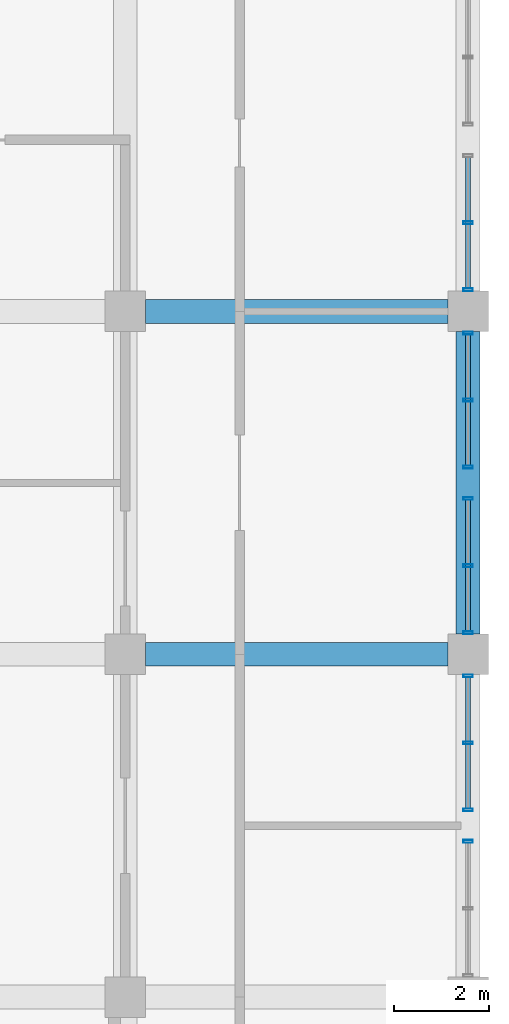
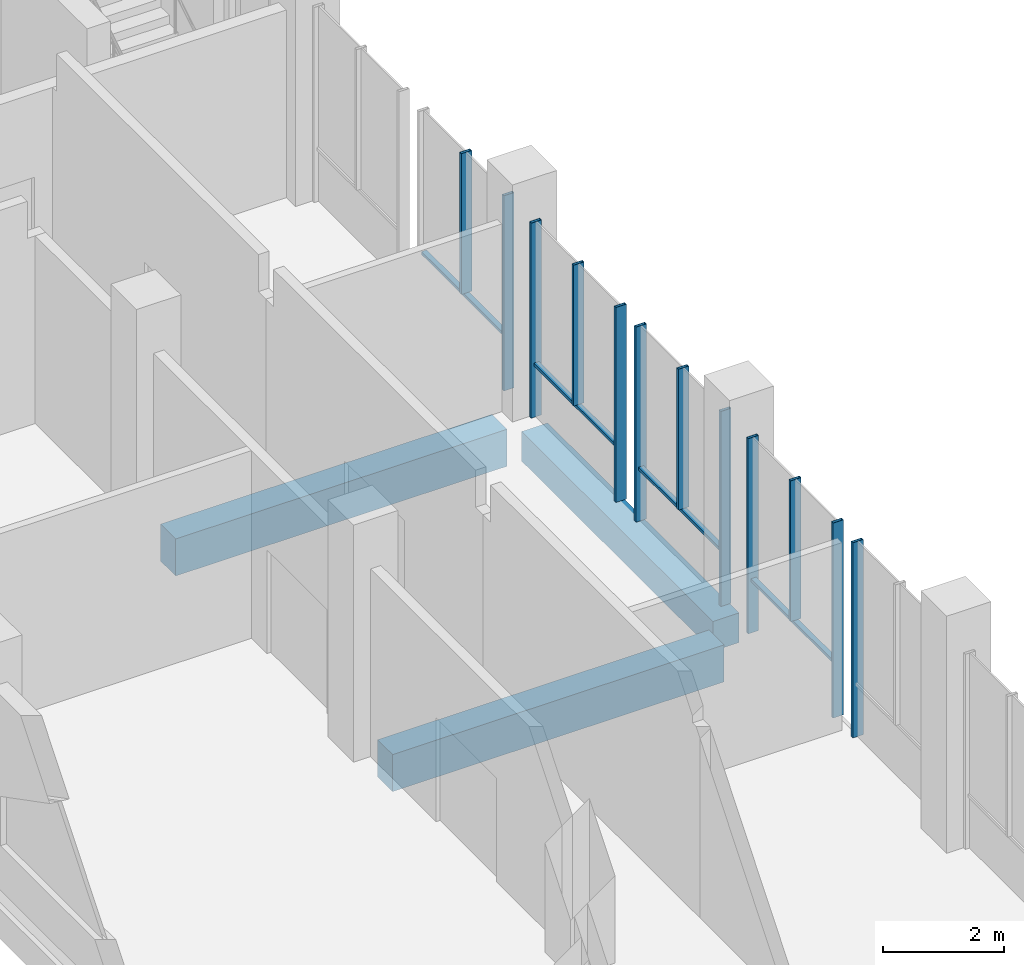
# One storey, part 20 of 40: 16 members, 3 beams, 5 elements without a shape of their own.
"""IFC4 building model written with IfcOpenShell, lengths in metres."""

from ifc_helpers import new_model, si_unit, direction, frame, origin, origin_2d, place, context, subcontext, project, spatial, rectangle, hollow_rectangle, extrude, material, material_profile, profile_set, type_object, element, aggregate, save


model = new_model("IFC4")

# Units and contexts
model_context = context("Model", 3, precision=1e-05, world=origin(), true_north=direction((0.0, 1.0)))
body_context = subcontext(model_context, "Body", "Model", "MODEL_VIEW")
ifc_project = project(units=[si_unit("LENGTHUNIT", "METRE"), si_unit("AREAUNIT", "SQUARE_METRE"), si_unit("VOLUMEUNIT", "CUBIC_METRE"), si_unit("PLANEANGLEUNIT", "RADIAN"), si_unit("MASSUNIT", "GRAM", prefix="KILO")], contexts=[model_context])

# Site, building, storey
site_placement = place(None, origin())
site = spatial("IfcSite", under=ifc_project, at=site_placement, CompositionType="ELEMENT")
building_placement = place(site_placement, origin())
building = spatial("IfcBuilding", under=site, at=building_placement, Name="Silangan Lancet Faculty of Sciences", CompositionType="ELEMENT")
storey_placement = place(building_placement, frame((0.0, 0.0, 16.800048828125)))
storey = spatial("IfcBuildingStorey", under=building, at=storey_placement, Name="L03", CompositionType="ELEMENT", Elevation=16.800048828125)

# Beams
ifc_material_1 = material(Name="Concrete C40/50", Category="concrete")
ifc_material_profile_1 = material_profile(ifc_material_1, rectangle(XDim=0.5, YDim=0.60009765625, at=origin_2d()), Name="RC 500x600")
ifc_profile_set_1 = profile_set([ifc_material_profile_1], Name="Concrete C40/50")
beam_type_1 = type_object("IfcBeamType", Name="BEAM RC 500x600", PredefinedType="BEAM", material=ifc_profile_set_1)
beam_placement = place(storey_placement, frame((86.39990234375, 36.425048828125, -0.550048828125), z_axis=(0.0, 1.0, 0.0), x_axis=(-1.0, 0.0, 0.0)))
element("IfcBeam", 1, at=beam_placement, inside=storey, type_object=beam_type_1, Name="BM-L03-13F-13G", PredefinedType="BEAM", context=body_context, shape_type="SweptSolid", body=[
    extrude(rectangle(XDim=0.5, YDim=0.60009765625, at=origin_2d()), origin(), (0.0, 0.0, 1.0), 6.349853515625),
])
ifc_material_2 = material(Name="Concrete C40/50", Category="concrete")
ifc_material_profile_2 = material_profile(ifc_material_2, rectangle(XDim=0.5, YDim=0.75, at=origin_2d()), Name="RC 500x750")
ifc_profile_set_2 = profile_set([ifc_material_profile_2], Name="Concrete C40/50")
beam_type_2 = type_object("IfcBeamType", Name="BEAM RC 500x750", PredefinedType="BEAM", material=ifc_profile_set_2)
for number, where, z_axis, x_axis, name in (
    (2, (79.625, 36.0, -0.625), (1.0, 0.0, 0.0), (0.0, 1.0, 0.0), "BM-L03-12F-13F"),
    (3, (79.625, 43.199951171875, -0.625), (1.0, 0.0, 0.0), (0.0, 1.0, 0.0), "BM-L03-12G-13G"),
):
    element("IfcBeam", number, at=place(storey_placement, frame(where, z_axis=z_axis, x_axis=x_axis)), inside=storey, type_object=beam_type_2, Name=name, PredefinedType="BEAM", context=body_context, shape_type="SweptSolid", body=[
        extrude(rectangle(XDim=0.5, YDim=0.75, at=origin_2d()), origin(), (0.0, 0.0, 1.0), 6.35009765625),
    ])

# Curtain wall, member
ifc_material_3 = material(Name="Aluminium framed curtain wall with insulated glass", Category="aluminium")
curtain_wall_type = type_object("IfcCurtainWallType", Name="CW1 Commons and east block glazing", PredefinedType="NOTDEFINED", material=ifc_material_3)
curtain_wall_1_placement = place(storey_placement, origin())
curtain_wall_1 = element("IfcCurtainWall", 4, at=curtain_wall_1_placement, inside=storey, type_object=curtain_wall_type, Name="CW1 East commons L03 bay 7", PredefinedType="NOTDEFINED")
ifc_material_4 = material(Name="Aluminium 6063-T6 extrusion", Category="aluminium")
ifc_material_profile_3 = material_profile(ifc_material_4, hollow_rectangle(XDim=0.06005859375, YDim=0.199951171875, WallThickness=0.00390625, at=origin_2d()), Name="AL BOX 60x200x4")
ifc_profile_set_3 = profile_set([ifc_material_profile_3], Name="Aluminium 6063-T6 extrusion")
member_type_1 = type_object("IfcMemberType", Name="CM1 Mullion 60x200", PredefinedType="MULLION", material=ifc_profile_set_3)
member_1_placement = place(storey_placement, frame((86.39990234375, 32.06982421875, 0.0), z_axis=(0.0, 0.0, 1.0), x_axis=(0.0, 1.0, 0.0)))
member_1 = element("IfcMember", 5, at=member_1_placement, type_object=member_type_1, Name="CW1 East commons L03 bay 7 mullion 2", PredefinedType="MULLION", context=body_context, shape_type="SweptSolid", body=[
    extrude(hollow_rectangle(XDim=0.06005859375, YDim=0.199951171875, WallThickness=0.00390625, at=origin_2d()), origin(), (0.0, 0.0, 1.0), 3.949951171875),
])
aggregate(curtain_wall_1, [member_1])

# Curtain wall, members
curtain_wall_2_placement = place(storey_placement, origin())
curtain_wall_2 = element("IfcCurtainWall", 6, at=curtain_wall_2_placement, inside=storey, type_object=curtain_wall_type, Name="CW1 East commons L03 bay 8", PredefinedType="NOTDEFINED")
member_2_placement = place(storey_placement, frame((86.39990234375, 32.72998046875, 0.0), z_axis=(0.0, 0.0, 1.0), x_axis=(0.0, 1.0, 0.0)))
member_2 = element("IfcMember", 7, at=member_2_placement, type_object=member_type_1, Name="CW1 East commons L03 bay 8 mullion 1", PredefinedType="MULLION", context=body_context, shape_type="SweptSolid", body=[
    extrude(hollow_rectangle(XDim=0.06005859375, YDim=0.199951171875, WallThickness=0.00390625, at=origin_2d()), origin(), (0.0, 0.0, 1.0), 3.949951171875),
])
member_3_placement = place(storey_placement, frame((86.39990234375, 35.544921875, 0.0), z_axis=(0.0, 0.0, 1.0), x_axis=(0.0, 1.0, 0.0)))
member_3 = element("IfcMember", 8, at=member_3_placement, type_object=member_type_1, Name="CW1 East commons L03 bay 8 mullion 2", PredefinedType="MULLION", context=body_context, shape_type="SweptSolid", body=[
    extrude(hollow_rectangle(XDim=0.06005859375, YDim=0.199951171875, WallThickness=0.00390625, at=origin_2d()), origin(), (0.0, 0.0, 1.0), 3.949951171875),
])
member_4_placement = place(storey_placement, frame((86.39990234375, 34.137451171875, 1.099853515625), z_axis=(0.0, 0.0, 1.0), x_axis=(0.0, 1.0, 0.0)))
member_4 = element("IfcMember", 9, at=member_4_placement, type_object=member_type_1, Name="CW1 East commons L03 bay 8 mullion 3", PredefinedType="MULLION", context=body_context, shape_type="SweptSolid", body=[
    extrude(hollow_rectangle(XDim=0.06005859375, YDim=0.199951171875, WallThickness=0.00390625, at=origin_2d()), origin(), (0.0, 0.0, 1.0), 2.85009765625),
])

curtain_wall_3_placement = place(storey_placement, origin())
curtain_wall_3 = element("IfcCurtainWall", 10, at=curtain_wall_3_placement, inside=storey, type_object=curtain_wall_type, Name="CW1 East commons L03 bay 9", PredefinedType="NOTDEFINED")
member_5_placement = place(storey_placement, frame((86.39990234375, 36.455078125, 0.0), z_axis=(0.0, 0.0, 1.0), x_axis=(0.0, 1.0, 0.0)))
member_5 = element("IfcMember", 11, at=member_5_placement, type_object=member_type_1, Name="CW1 East commons L03 bay 9 mullion 1", PredefinedType="MULLION", context=body_context, shape_type="SweptSolid", body=[
    extrude(hollow_rectangle(XDim=0.06005859375, YDim=0.199951171875, WallThickness=0.00390625, at=origin_2d()), origin(), (0.0, 0.0, 1.0), 3.949951171875),
])
member_6_placement = place(storey_placement, frame((86.39990234375, 39.27001953125, 0.0), z_axis=(0.0, 0.0, 1.0), x_axis=(0.0, 1.0, 0.0)))
member_6 = element("IfcMember", 12, at=member_6_placement, type_object=member_type_1, Name="CW1 East commons L03 bay 9 mullion 2", PredefinedType="MULLION", context=body_context, shape_type="SweptSolid", body=[
    extrude(hollow_rectangle(XDim=0.06005859375, YDim=0.199951171875, WallThickness=0.00390625, at=origin_2d()), origin(), (0.0, 0.0, 1.0), 3.949951171875),
])
member_7_placement = place(storey_placement, frame((86.39990234375, 37.862548828125, 1.099853515625), z_axis=(0.0, 0.0, 1.0), x_axis=(0.0, 1.0, 0.0)))
member_7 = element("IfcMember", 13, at=member_7_placement, type_object=member_type_1, Name="CW1 East commons L03 bay 9 mullion 3", PredefinedType="MULLION", context=body_context, shape_type="SweptSolid", body=[
    extrude(hollow_rectangle(XDim=0.06005859375, YDim=0.199951171875, WallThickness=0.00390625, at=origin_2d()), origin(), (0.0, 0.0, 1.0), 2.85009765625),
])

curtain_wall_4_placement = place(storey_placement, origin())
curtain_wall_4 = element("IfcCurtainWall", 14, at=curtain_wall_4_placement, inside=storey, type_object=curtain_wall_type, Name="CW1 East commons L03 bay 10", PredefinedType="NOTDEFINED")
member_8_placement = place(storey_placement, frame((86.39990234375, 39.93017578125, 0.0), z_axis=(0.0, 0.0, 1.0), x_axis=(0.0, 1.0, 0.0)))
member_8 = element("IfcMember", 15, at=member_8_placement, type_object=member_type_1, Name="CW1 East commons L03 bay 10 mullion 1", PredefinedType="MULLION", context=body_context, shape_type="SweptSolid", body=[
    extrude(hollow_rectangle(XDim=0.06005859375, YDim=0.199951171875, WallThickness=0.00390625, at=origin_2d()), origin(), (0.0, 0.0, 1.0), 3.949951171875),
])
member_9_placement = place(storey_placement, frame((86.39990234375, 42.7451171875, 0.0), z_axis=(0.0, 0.0, 1.0), x_axis=(0.0, 1.0, 0.0)))
member_9 = element("IfcMember", 16, at=member_9_placement, type_object=member_type_1, Name="CW1 East commons L03 bay 10 mullion 2", PredefinedType="MULLION", context=body_context, shape_type="SweptSolid", body=[
    extrude(hollow_rectangle(XDim=0.06005859375, YDim=0.199951171875, WallThickness=0.00390625, at=origin_2d()), origin(), (0.0, 0.0, 1.0), 3.949951171875),
])
member_10_placement = place(storey_placement, frame((86.39990234375, 41.337646484375, 1.099853515625), z_axis=(0.0, 0.0, 1.0), x_axis=(0.0, 1.0, 0.0)))
member_10 = element("IfcMember", 17, at=member_10_placement, type_object=member_type_1, Name="CW1 East commons L03 bay 10 mullion 3", PredefinedType="MULLION", context=body_context, shape_type="SweptSolid", body=[
    extrude(hollow_rectangle(XDim=0.06005859375, YDim=0.199951171875, WallThickness=0.00390625, at=origin_2d()), origin(), (0.0, 0.0, 1.0), 2.85009765625),
])

curtain_wall_5_placement = place(storey_placement, origin())
curtain_wall_5 = element("IfcCurtainWall", 18, at=curtain_wall_5_placement, inside=storey, type_object=curtain_wall_type, Name="CW1 East commons L03 bay 11", PredefinedType="NOTDEFINED")
member_11_placement = place(storey_placement, frame((86.39990234375, 43.655029296875, 0.0), z_axis=(0.0, 0.0, 1.0), x_axis=(0.0, 1.0, 0.0)))
member_11 = element("IfcMember", 19, at=member_11_placement, type_object=member_type_1, Name="CW1 East commons L03 bay 11 mullion 1", PredefinedType="MULLION", context=body_context, shape_type="SweptSolid", body=[
    extrude(hollow_rectangle(XDim=0.06005859375, YDim=0.199951171875, WallThickness=0.00390625, at=origin_2d()), origin(), (0.0, 0.0, 1.0), 3.949951171875),
])
member_12_placement = place(storey_placement, frame((86.39990234375, 45.0625, 1.099853515625), z_axis=(0.0, 0.0, 1.0), x_axis=(0.0, 1.0, 0.0)))
member_12 = element("IfcMember", 20, at=member_12_placement, type_object=member_type_1, Name="CW1 East commons L03 bay 11 mullion 3", PredefinedType="MULLION", context=body_context, shape_type="SweptSolid", body=[
    extrude(hollow_rectangle(XDim=0.06005859375, YDim=0.199951171875, WallThickness=0.00390625, at=origin_2d()), origin(), (0.0, 0.0, 1.0), 2.85009765625),
])

# Member
ifc_material_5 = material(Name="Aluminium 6063-T6 extrusion", Category="aluminium")
ifc_material_profile_4 = material_profile(ifc_material_5, hollow_rectangle(XDim=0.10009765625, YDim=0.06005859375, WallThickness=0.0029296875, at=origin_2d()), Name="AL BOX 100x60x3")
ifc_profile_set_4 = profile_set([ifc_material_profile_4], Name="Aluminium 6063-T6 extrusion")
member_type_2 = type_object("IfcMemberType", Name="CT1 Transom 100x60", PredefinedType="USERDEFINED", material=ifc_profile_set_4)
member_13_placement = place(storey_placement, frame((86.39990234375, 32.760009765625, 1.070068359375), z_axis=(0.0, 1.0, 0.0), x_axis=(-1.0, 0.0, 0.0)))
member_13 = element("IfcMember", 21, at=member_13_placement, type_object=member_type_2, Name="CW1 East commons L03 bay 8 transom 1", ObjectType="TRANSOM", PredefinedType="USERDEFINED", context=body_context, shape_type="SweptSolid", body=[
    extrude(hollow_rectangle(XDim=0.10009765625, YDim=0.06005859375, WallThickness=0.0029296875, at=origin_2d()), origin(), (0.0, 0.0, 1.0), 2.7548828125),
])

aggregate(curtain_wall_2, [member_2, member_3, member_4, member_13])

member_14_placement = place(storey_placement, frame((86.39990234375, 36.485107421875, 1.070068359375), z_axis=(0.0, 1.0, 0.0), x_axis=(-1.0, 0.0, 0.0)))
member_14 = element("IfcMember", 22, at=member_14_placement, type_object=member_type_2, Name="CW1 East commons L03 bay 9 transom 1", ObjectType="TRANSOM", PredefinedType="USERDEFINED", context=body_context, shape_type="SweptSolid", body=[
    extrude(hollow_rectangle(XDim=0.10009765625, YDim=0.06005859375, WallThickness=0.0029296875, at=origin_2d()), origin(), (0.0, 0.0, 1.0), 2.7548828125),
])

aggregate(curtain_wall_3, [member_5, member_6, member_7, member_14])

member_15_placement = place(storey_placement, frame((86.39990234375, 39.960205078125, 1.070068359375), z_axis=(0.0, 1.0, 0.0), x_axis=(-1.0, 0.0, 0.0)))
member_15 = element("IfcMember", 23, at=member_15_placement, type_object=member_type_2, Name="CW1 East commons L03 bay 10 transom 1", ObjectType="TRANSOM", PredefinedType="USERDEFINED", context=body_context, shape_type="SweptSolid", body=[
    extrude(hollow_rectangle(XDim=0.10009765625, YDim=0.06005859375, WallThickness=0.0029296875, at=origin_2d()), origin(), (0.0, 0.0, 1.0), 2.7548828125),
])

aggregate(curtain_wall_4, [member_8, member_9, member_10, member_15])

member_16_placement = place(storey_placement, frame((86.39990234375, 43.68505859375, 1.070068359375), z_axis=(0.0, 1.0, 0.0), x_axis=(-1.0, 0.0, 0.0)))
member_16 = element("IfcMember", 24, at=member_16_placement, type_object=member_type_2, Name="CW1 East commons L03 bay 11 transom 1", ObjectType="TRANSOM", PredefinedType="USERDEFINED", context=body_context, shape_type="SweptSolid", body=[
    extrude(hollow_rectangle(XDim=0.10009765625, YDim=0.06005859375, WallThickness=0.0029296875, at=origin_2d()), origin(), (0.0, 0.0, 1.0), 2.7548828125),
])

aggregate(curtain_wall_5, [member_11, member_12, member_16])

save(model, "model.ifc")
